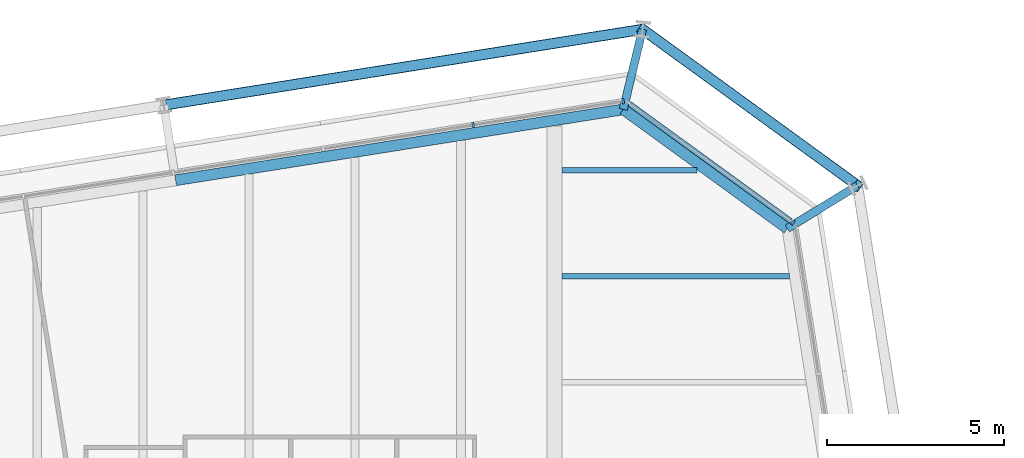
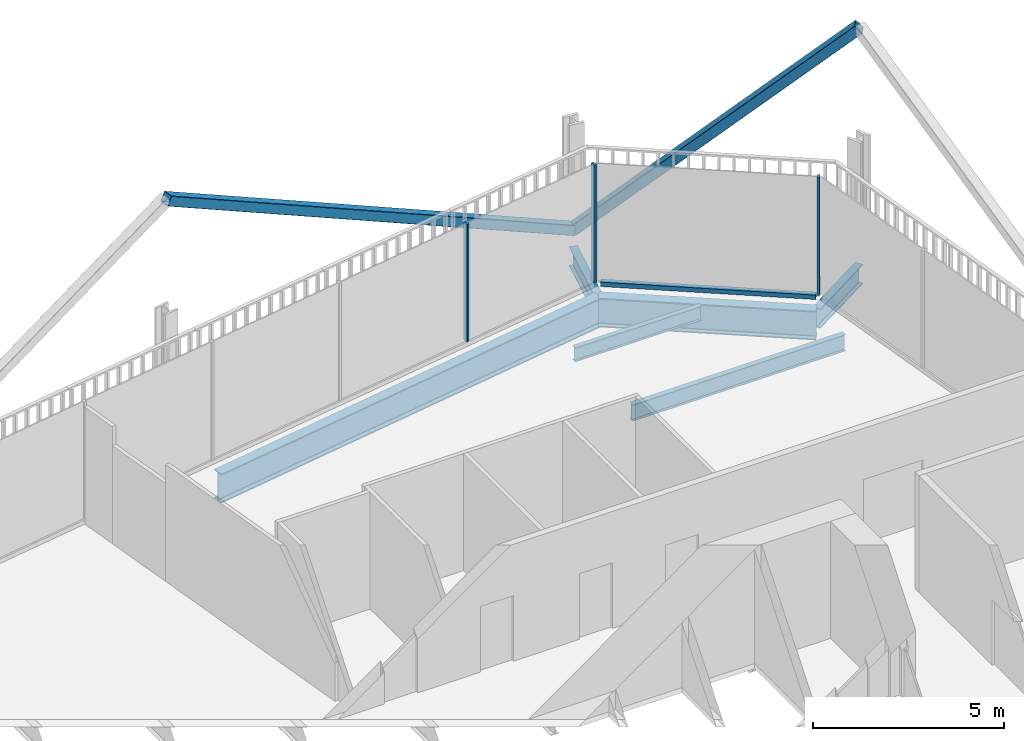
# One storey, part 16 of 22: 6 beams, 6 members, 2 elements without a shape of their own.
"""IFC4 building model written with IfcOpenShell, lengths in metres."""

from ifc_helpers import new_model, si_unit, direction, frame, origin, origin_2d, place, context, subcontext, project, spatial, rectangle, hollow_rectangle, i_section, extrude, material, layer, layer_set, material_profile, profile_set, type_object, element, aggregate, save


model = new_model("IFC4")

# Units and contexts
model_context = context("Model", 3, precision=1e-05, world=origin(), true_north=direction((0.0, 1.0)))
body_context = subcontext(model_context, "Body", "Model", "MODEL_VIEW")
ifc_project = project(units=[si_unit("LENGTHUNIT", "METRE"), si_unit("AREAUNIT", "SQUARE_METRE"), si_unit("VOLUMEUNIT", "CUBIC_METRE"), si_unit("PLANEANGLEUNIT", "RADIAN"), si_unit("MASSUNIT", "GRAM", prefix="KILO")], contexts=[model_context])

# Site, building, storey
site_placement = place(None, origin())
site = spatial("IfcSite", under=ifc_project, at=site_placement, CompositionType="ELEMENT")
building_placement = place(site_placement, origin())
building = spatial("IfcBuilding", under=site, at=building_placement, Name="Millrace Tower", CompositionType="ELEMENT")
storey_placement = place(building_placement, frame((0.0, 0.0, 187.800048828125)))
storey = spatial("IfcBuildingStorey", under=building, at=storey_placement, Name="L42", CompositionType="ELEMENT", Elevation=187.800048828125)

# Curtain wall, member
ifc_material_1 = material(Name="Aluminium and glass", Category="aluminium")
ifc_layer = layer(ifc_material_1, 0.14990234375)
ifc_layer_set = layer_set([ifc_layer], Name="Aluminium and glass")
curtain_wall_type = type_object("IfcCurtainWallType", Name="CW-1 office vision curtain wall", PredefinedType="NOTDEFINED", material=ifc_layer_set)
placement = place(storey_placement, origin())
curtain_wall_1 = element("IfcCurtainWall", 1, at=placement, inside=storey, type_object=curtain_wall_type, Name="Curtain wall C-F05 L42", PredefinedType="NOTDEFINED")
ifc_material_2 = material(Name="Aluminium", Category="aluminium")
ifc_material_profile_1 = material_profile(ifc_material_2, rectangle(XDim=0.06494140625, YDim=0.14990234375, at=origin_2d()))
ifc_profile_set_1 = profile_set([ifc_material_profile_1], Name="Aluminium")
member_type_1 = type_object("IfcMemberType", Name="CW-1 office vision curtain wall mullion", PredefinedType="MULLION", material=ifc_profile_set_1)
member_1_placement = place(storey_placement, frame((21.4013671875, 22.517822265625, 0.139892578125), z_axis=(0.0, 0.0, 1.0), x_axis=(-0.809016981623, 0.587785269844, 0.0)))
member_1 = element("IfcMember", 2, at=member_1_placement, type_object=member_type_1, Name="CW1 mullion C-F05.1", PredefinedType="MULLION", context=body_context, shape_type="SweptSolid", body=[
    extrude(rectangle(XDim=0.06494140625, YDim=0.14990234375, at=origin_2d()), origin(), (0.0, 0.0, 1.0), 3.760009765625),
])

# Curtain wall, members
curtain_wall_2 = element("IfcCurtainWall", 3, at=placement, inside=storey, type_object=curtain_wall_type, Name="Curtain wall C-F06 L42", PredefinedType="NOTDEFINED")
member_2_placement = place(storey_placement, frame((16.591796875, 25.956787109375, 0.139892578125), z_axis=(0.0, 0.0, 1.0), x_axis=(-0.98768833929, -0.15643447328, 0.0)))
member_2 = element("IfcMember", 4, at=member_2_placement, type_object=member_type_1, Name="CW1 mullion C-F06.1", PredefinedType="MULLION", context=body_context, shape_type="SweptSolid", body=[
    extrude(rectangle(XDim=0.06494140625, YDim=0.14990234375, at=origin_2d()), origin(), (0.0, 0.0, 1.0), 3.760009765625),
])
member_3_placement = place(storey_placement, frame((12.3447265625, 25.283935546875, 0.139892578125), z_axis=(0.0, 0.0, 1.0), x_axis=(-0.98768833929, -0.15643447328, 0.0)))
member_3 = element("IfcMember", 5, at=member_3_placement, type_object=member_type_1, Name="CW1 mullion C-F06.2", PredefinedType="MULLION", context=body_context, shape_type="SweptSolid", body=[
    extrude(rectangle(XDim=0.06494140625, YDim=0.14990234375, at=origin_2d()), origin(), (0.0, 0.0, 1.0), 3.760009765625),
])
aggregate(curtain_wall_2, [member_2, member_3])

# Member
ifc_material_3 = material(Name="Aluminium", Category="aluminium")
ifc_material_profile_2 = material_profile(ifc_material_3, rectangle(XDim=0.14990234375, YDim=0.139892578125, at=origin_2d()))
ifc_profile_set_2 = profile_set([ifc_material_profile_2], Name="Aluminium")
member_type_2 = type_object("IfcMemberType", Name="CW-1 office vision curtain wall transom", PredefinedType="USERDEFINED", material=ifc_profile_set_2)
member_4_placement = place(storey_placement, frame((21.346923828125, 22.557373046875, 0.070068359375), z_axis=(-0.809013470651, 0.587790102252, 0.0), x_axis=(-0.587790102252, -0.809013470651, 0.0)))
member_4 = element("IfcMember", 6, at=member_4_placement, type_object=member_type_2, Name="CW1 transom C-F05.1", ObjectType="TRANSOM", PredefinedType="USERDEFINED", context=body_context, shape_type="SweptSolid", body=[
    extrude(rectangle(XDim=0.14990234375, YDim=0.139892578125, at=origin_2d()), origin(), (0.0, 0.0, 1.0), 5.669189453125),
])

aggregate(curtain_wall_1, [member_1, member_4])

# Members
ifc_material_4 = material(Name="Steel ASTM A500 Grade C", Category="steel")
ifc_material_profile_3 = material_profile(ifc_material_4, hollow_rectangle(XDim=0.3046875, YDim=0.3046875, WallThickness=0.0126953125, InnerFilletRadius=0.00634765625, OuterFilletRadius=0.01904296875, at=origin_2d()))
ifc_profile_set_3 = profile_set([ifc_material_profile_3], Name="Steel ASTM A500 Grade C")
member_type_3 = type_object("IfcMemberType", Name="Exoskeleton brace HSS12x12x1/2", PredefinedType="BRACE", material=ifc_profile_set_3)
member_5_placement = place(storey_placement, frame((17.140869140625, 27.99267578125, 0.39990234375), z_axis=(0.592387752691, -0.430389097037, 0.681059450866), x_axis=(0.587780069364, 0.809020759968, 0.0)))
element("IfcMember", 7, at=member_5_placement, inside=storey, type_object=member_type_3, Name="BRC-C-L42-09", PredefinedType="BRACE", context=body_context, shape_type="SweptSolid", body=[
    extrude(hollow_rectangle(XDim=0.3046875, YDim=0.3046875, WallThickness=0.0126953125, InnerFilletRadius=0.00634765625, OuterFilletRadius=0.01904296875, at=origin_2d()), origin(), (0.0, 0.0, 1.0), 10.278076171875),
])
member_6_placement = place(storey_placement, frame((17.140869140625, 27.99267578125, 0.39990234375), z_axis=(-0.879904612171, -0.139370908249, 0.454250617407), x_axis=(0.156442906258, -0.987687003601, 0.0)))
element("IfcMember", 8, at=member_6_placement, inside=storey, type_object=member_type_3, Name="BRC-C-L42-10", PredefinedType="BRACE", context=body_context, shape_type="SweptSolid", body=[
    extrude(hollow_rectangle(XDim=0.3046875, YDim=0.3046875, WallThickness=0.0126953125, InnerFilletRadius=0.00634765625, OuterFilletRadius=0.01904296875, at=origin_2d()), origin(), (0.0, 0.0, 1.0), 15.409912109375),
])

# Beams
ifc_material_5 = material(Name="Steel ASTM A992 Grade 50", Category="steel")
ifc_material_profile_4 = material_profile(ifc_material_5, i_section(OverallWidth=0.15234375, OverallDepth=0.449462890625, WebThickness=0.007568359375, FlangeThickness=0.0107421875, FilletRadius=0.01025390625, at=origin_2d()))
ifc_profile_set_4 = profile_set([ifc_material_profile_4], Name="Steel ASTM A992 Grade 50")
beam_type_1 = type_object("IfcBeamType", Name="Floor beam W18x35", PredefinedType="JOIST", material=ifc_profile_set_4)
beam_1_placement = place(storey_placement, frame((14.859619140625, 24.0, -0.384765625), z_axis=(1.0, 0.0, 0.0), x_axis=(0.0, 1.0, 0.0)))
element("IfcBeam", 9, at=beam_1_placement, inside=storey, type_object=beam_type_1, Name="BM-C-L42-S1-S038", PredefinedType="JOIST", context=body_context, shape_type="SweptSolid", body=[
    extrude(i_section(OverallWidth=0.15234375, OverallDepth=0.449462890625, WebThickness=0.007568359375, FlangeThickness=0.0107421875, FilletRadius=0.01025390625, at=origin_2d()), origin(), (0.0, 0.0, 1.0), 3.8232421875),
])
ifc_material_6 = material(Name="Steel ASTM A992 Grade 50", Category="steel")
ifc_material_profile_5 = material_profile(ifc_material_6, i_section(OverallWidth=0.1650390625, OverallDepth=0.52587890625, WebThickness=0.0087890625, FlangeThickness=0.011474609375, FilletRadius=0.0126953125, at=origin_2d()))
ifc_profile_set_5 = profile_set([ifc_material_profile_5], Name="Steel ASTM A992 Grade 50")
beam_type_2 = type_object("IfcBeamType", Name="Floor beam W21x44", PredefinedType="JOIST", material=ifc_profile_set_5)
beam_2_placement = place(storey_placement, frame((14.859619140625, 21.0, -0.4228515625), z_axis=(1.0, 0.0, 0.0), x_axis=(0.0, 1.0, 0.0)))
element("IfcBeam", 10, at=beam_2_placement, inside=storey, type_object=beam_type_2, Name="BM-C-L42-S1-S037", PredefinedType="JOIST", context=body_context, shape_type="SweptSolid", body=[
    extrude(i_section(OverallWidth=0.1650390625, OverallDepth=0.52587890625, WebThickness=0.0087890625, FlangeThickness=0.011474609375, FilletRadius=0.0126953125, at=origin_2d()), origin(), (0.0, 0.0, 1.0), 6.440673828125),
])
ifc_material_7 = material(Name="Steel ASTM A992 Grade 50", Category="steel")
ifc_material_profile_6 = material_profile(ifc_material_7, i_section(OverallWidth=0.23046875, OverallDepth=0.6171875, WebThickness=0.01318359375, FlangeThickness=0.022216796875, FilletRadius=0.012939453125, at=origin_2d()))
ifc_profile_set_6 = profile_set([ifc_material_profile_6], Name="Steel ASTM A992 Grade 50")
beam_type_3 = type_object("IfcBeamType", Name="Link beam W24x94", PredefinedType="BEAM", material=ifc_profile_set_6)
beam_3_placement = place(storey_placement, frame((16.5966796875, 25.725830078125, -0.46875), z_axis=(0.233432364948, 0.972373041068, 0.0), x_axis=(-0.972373041068, 0.233432364948, 0.0)))
element("IfcBeam", 11, at=beam_3_placement, inside=storey, type_object=beam_type_3, Name="LNK-C-L42-S1-08", PredefinedType="BEAM", context=body_context, shape_type="SweptSolid", body=[
    extrude(i_section(OverallWidth=0.23046875, OverallDepth=0.6171875, WebThickness=0.01318359375, FlangeThickness=0.022216796875, FilletRadius=0.012939453125, at=origin_2d()), origin(), (0.0, 0.0, 1.0), 2.331298828125),
])
beam_4_placement = place(storey_placement, frame((21.241943359375, 22.35107421875, -0.46875), z_axis=(0.852631355792, 0.522512938711, 0.0), x_axis=(-0.522512938711, 0.852631355792, 0.0)))
element("IfcBeam", 12, at=beam_4_placement, inside=storey, type_object=beam_type_3, Name="LNK-C-L42-S1-09", PredefinedType="BEAM", context=body_context, shape_type="SweptSolid", body=[
    extrude(i_section(OverallWidth=0.23046875, OverallDepth=0.6171875, WebThickness=0.01318359375, FlangeThickness=0.022216796875, FilletRadius=0.012939453125, at=origin_2d()), origin(), (0.0, 0.0, 1.0), 2.3310546875),
])
ifc_material_8 = material(Name="Steel ASTM A992 Grade 50", Category="steel")
ifc_material_profile_7 = material_profile(ifc_material_8, i_section(OverallWidth=0.307373046875, OverallDepth=0.927001953125, WebThickness=0.01953125, FlangeThickness=0.031982421875, FilletRadius=0.01904296875, at=origin_2d()))
ifc_profile_set_7 = profile_set([ifc_material_profile_7], Name="Steel ASTM A992 Grade 50")
beam_type_4 = type_object("IfcBeamType", Name="Ring beam medium span W36x194", PredefinedType="SPANDREL", material=ifc_profile_set_7)
beam_5_placement = place(storey_placement, frame((3.91845703125, 23.718017578125, -0.62353515625), z_axis=(0.987690996996, 0.156417692264, 0.0), x_axis=(-0.156417692264, 0.987690996996, 0.0)))
element("IfcBeam", 13, at=beam_5_placement, inside=storey, type_object=beam_type_4, Name="RNG-C-L42-S1-07", PredefinedType="SPANDREL", context=body_context, shape_type="SweptSolid", body=[
    extrude(i_section(OverallWidth=0.307373046875, OverallDepth=0.927001953125, WebThickness=0.01953125, FlangeThickness=0.031982421875, FilletRadius=0.01904296875, at=origin_2d()), origin(), (0.0, 0.0, 1.0), 12.836181640625),
])
ifc_material_9 = material(Name="Steel ASTM A992 Grade 50", Category="steel")
ifc_material_profile_8 = material_profile(ifc_material_9, i_section(OverallWidth=0.307373046875, OverallDepth=0.927001953125, WebThickness=0.01953125, FlangeThickness=0.031982421875, FilletRadius=0.01904296875, at=origin_2d()))
ifc_profile_set_8 = profile_set([ifc_material_profile_8], Name="Steel ASTM A992 Grade 50")
beam_type_5 = type_object("IfcBeamType", Name="Ring beam short span W36x194", PredefinedType="SPANDREL", material=ifc_profile_set_8)
beam_6_placement = place(storey_placement, frame((16.5966796875, 25.725830078125, -0.62353515625), z_axis=(0.809035690681, -0.587759518174, 0.0), x_axis=(0.587759518174, 0.809035690681, 0.0)))
element("IfcBeam", 14, at=beam_6_placement, inside=storey, type_object=beam_type_5, Name="RNG-C-L42-S1-08", PredefinedType="SPANDREL", context=body_context, shape_type="SweptSolid", body=[
    extrude(i_section(OverallWidth=0.307373046875, OverallDepth=0.927001953125, WebThickness=0.01953125, FlangeThickness=0.031982421875, FilletRadius=0.01904296875, at=origin_2d()), origin(), (0.0, 0.0, 1.0), 5.74169921875),
])

save(model, "model.ifc")
